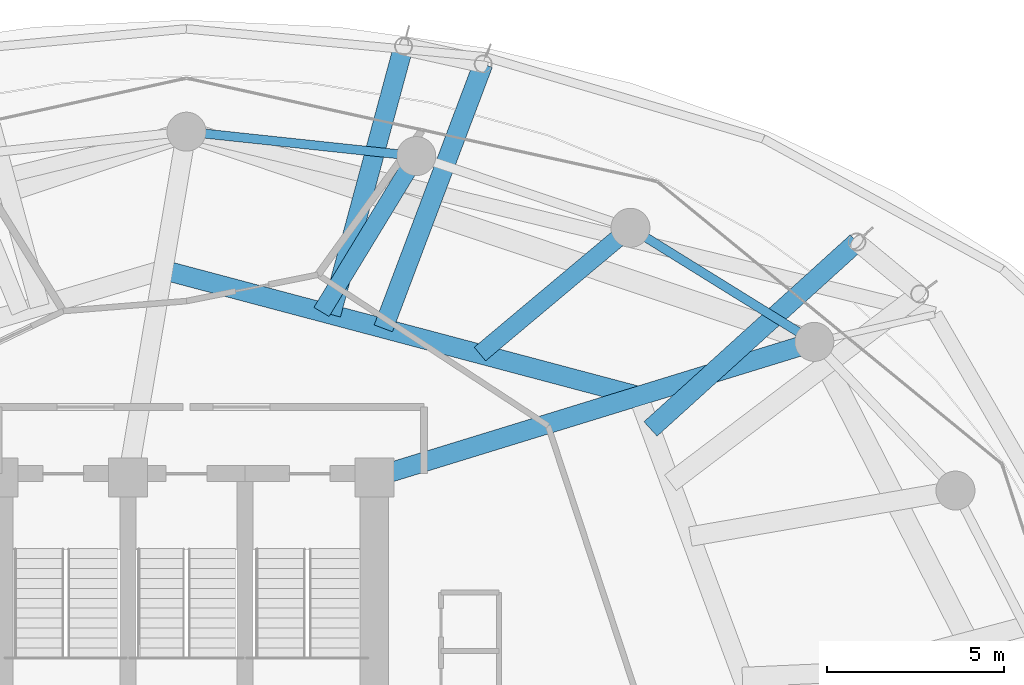
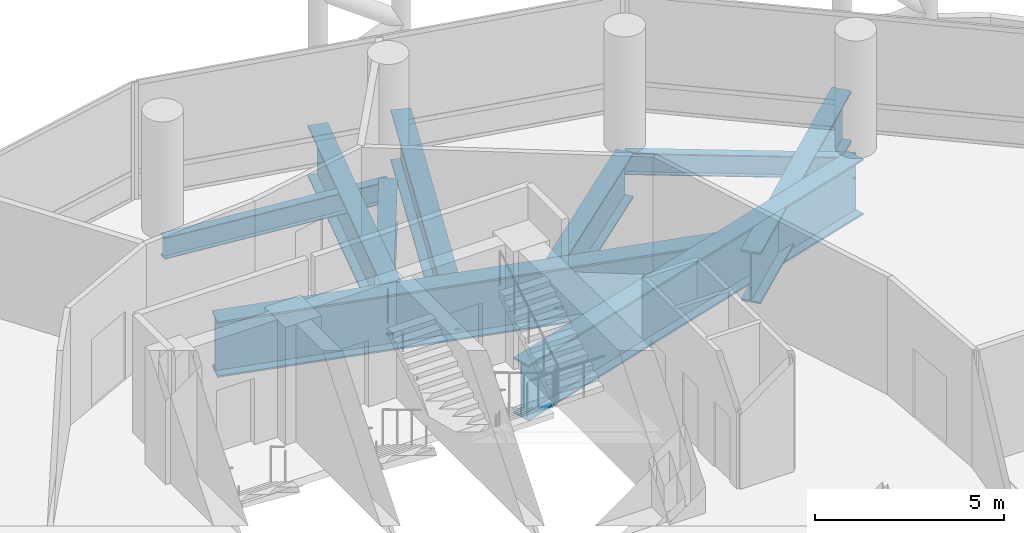
# One storey, part 23 of 37: 9 beams.
"""IFC4 building model written with IfcOpenShell, lengths in metres."""

from ifc_helpers import new_model, si_unit, direction, frame, origin, origin_2d, place, context, subcontext, project, spatial, i_section, extrude, material, material_profile, profile_set, type_object, element, save


model = new_model("IFC4")

# Units and contexts
model_context = context("Model", 3, precision=1e-05, world=origin(), true_north=direction((0.0, 1.0)))
body_context = subcontext(model_context, "Body", "Model", "MODEL_VIEW")
ifc_project = project(units=[si_unit("LENGTHUNIT", "METRE"), si_unit("AREAUNIT", "SQUARE_METRE"), si_unit("VOLUMEUNIT", "CUBIC_METRE"), si_unit("PLANEANGLEUNIT", "RADIAN"), si_unit("MASSUNIT", "GRAM", prefix="KILO")], contexts=[model_context])

# Site, building, storey
site_placement = place(None, origin())
site = spatial("IfcSite", under=ifc_project, at=site_placement, CompositionType="ELEMENT")
building_placement = place(site_placement, origin())
building = spatial("IfcBuilding", under=site, at=building_placement, Name="Nuhasar Tower", CompositionType="ELEMENT")
storey_placement = place(building_placement, frame((0.0, 0.0, 21.0)))
storey = spatial("IfcBuildingStorey", under=building, at=storey_placement, Name="L04", CompositionType="ELEMENT", Elevation=21.0)

# Beams
ifc_material_1 = material(Name="Steel S355", Category="steel")
ifc_material_profile_1 = material_profile(ifc_material_1, i_section(OverallWidth=0.256103515625, OverallDepth=0.693115234375, WebThickness=0.014404296875, FlangeThickness=0.023681640625, at=origin_2d()), Name="W27X114")
ifc_profile_set_1 = profile_set([ifc_material_profile_1], Name="Steel S355")
beam_type_1 = type_object("IfcBeamType", Name="BM-RING-W27X114", PredefinedType="SPANDREL", material=ifc_profile_set_1)
beam_1_placement = place(storey_placement, frame((56.712890625, 41.118896484375, -0.60693359375), z_axis=(-0.849795216549, 0.527112976439, 0.0), x_axis=(-0.527112976439, -0.849795216549, 0.0)))
element("IfcBeam", 1, at=beam_1_placement, inside=storey, type_object=beam_type_1, Name="L04 Perimeter Ring Spandrel 04", PredefinedType="SPANDREL", context=body_context, shape_type="SweptSolid", body=[
    extrude(i_section(OverallWidth=0.256103515625, OverallDepth=0.693115234375, WebThickness=0.014404296875, FlangeThickness=0.023681640625, at=origin_2d()), origin(), (0.0, 0.0, 1.0), 6.10498046875),
])
beam_2_placement = place(storey_placement, frame((45.48291015625, 46.360107421875, -0.60693359375), z_axis=(-0.994384554061, 0.105827022286, 0.0), x_axis=(-0.105827022286, -0.994384554061, 0.0)))
element("IfcBeam", 2, at=beam_2_placement, inside=storey, type_object=beam_type_1, Name="L04 Perimeter Ring Spandrel 06", PredefinedType="SPANDREL", context=body_context, shape_type="SweptSolid", body=[
    extrude(i_section(OverallWidth=0.256103515625, OverallDepth=0.693115234375, WebThickness=0.014404296875, FlangeThickness=0.023681640625, at=origin_2d()), origin(), (0.0, 0.0, 1.0), 6.51953125),
])
ifc_material_2 = material(Name="Steel S460", Category="steel")
ifc_material_profile_2 = material_profile(ifc_material_2, i_section(OverallWidth=0.5, OverallDepth=1.449951171875, WebThickness=0.028076171875, FlangeThickness=0.050048828125, at=origin_2d()), Name="PG1450X500")
ifc_profile_set_2 = profile_set([ifc_material_profile_2], Name="Steel S460")
beam_type_2 = type_object("IfcBeamType", Name="BM-XFER-PG1450", PredefinedType="USERDEFINED", material=ifc_profile_set_2)
beam_3_placement = place(storey_placement, frame((47.279052734375, 40.777099609375, -0.985107421875), z_axis=(0.766300007455, 0.642482916951, 0.0), x_axis=(-0.642482916951, 0.766300007455, 0.0)))
element("IfcBeam", 3, at=beam_3_placement, inside=storey, type_object=beam_type_2, Name="L04 Inner Column Transfer Girder 05", ObjectType="GIRDER", PredefinedType="USERDEFINED", context=body_context, shape_type="SweptSolid", body=[
    extrude(i_section(OverallWidth=0.5, OverallDepth=1.449951171875, WebThickness=0.028076171875, FlangeThickness=0.050048828125, at=origin_2d()), origin(), (0.0, 0.0, 1.0), 5.540771484375),
])
beam_4_placement = place(storey_placement, frame((42.80908203125, 41.964111328125, -0.985107421875), z_axis=(0.519663924632, 0.85437076579, 0.0), x_axis=(-0.85437076579, 0.519663924632, 0.0)))
element("IfcBeam", 4, at=beam_4_placement, inside=storey, type_object=beam_type_2, Name="L04 Inner Column Transfer Girder 06", ObjectType="GIRDER", PredefinedType="USERDEFINED", context=body_context, shape_type="SweptSolid", body=[
    extrude(i_section(OverallWidth=0.5, OverallDepth=1.449951171875, WebThickness=0.028076171875, FlangeThickness=0.050048828125, at=origin_2d()), origin(), (0.0, 0.0, 1.0), 5.145263671875),
])
ifc_material_profile_3 = material_profile(ifc_material_2, i_section(OverallWidth=0.550048828125, OverallDepth=1.64990234375, WebThickness=0.031982421875, FlangeThickness=0.054931640625, at=origin_2d()), Name="PG1650X550")
ifc_profile_set_3 = profile_set([ifc_material_profile_3], Name="Steel S460")
beam_type_3 = type_object("IfcBeamType", Name="BM-XFER-PG1650", PredefinedType="USERDEFINED", material=ifc_profile_set_3)
beam_5_placement = place(storey_placement, frame((52.091064453125, 38.6630859375, -1.0849609375), z_axis=(0.741007727783, 0.671496498402, 0.0), x_axis=(-0.671496498402, 0.741007727783, 0.0)))
element("IfcBeam", 5, at=beam_5_placement, inside=storey, type_object=beam_type_3, Name="L04 Exoskeleton Base Transfer Girder 04", ObjectType="GIRDER", PredefinedType="USERDEFINED", context=body_context, shape_type="SweptSolid", body=[
    extrude(i_section(OverallWidth=0.550048828125, OverallDepth=1.64990234375, WebThickness=0.031982421875, FlangeThickness=0.054931640625, at=origin_2d()), origin(), (0.0, 0.0, 1.0), 7.85693359375),
])
beam_6_placement = place(storey_placement, frame((44.552978515625, 41.5009765625, -1.0849609375), z_axis=(0.35332375297, 0.935501109346, 0.0), x_axis=(-0.935501109346, 0.35332375297, 0.0)))
element("IfcBeam", 6, at=beam_6_placement, inside=storey, type_object=beam_type_3, Name="L04 Exoskeleton Base Transfer Girder 05", ObjectType="GIRDER", PredefinedType="USERDEFINED", context=body_context, shape_type="SweptSolid", body=[
    extrude(i_section(OverallWidth=0.550048828125, OverallDepth=1.64990234375, WebThickness=0.031982421875, FlangeThickness=0.054931640625, at=origin_2d()), origin(), (0.0, 0.0, 1.0), 7.97314453125),
])
beam_7_placement = place(storey_placement, frame((43.0791015625, 41.89208984375, -1.0849609375), z_axis=(0.260887058931, 0.965369329574, 0.0), x_axis=(-0.965369329574, 0.260887058931, 0.0)))
element("IfcBeam", 7, at=beam_7_placement, inside=storey, type_object=beam_type_3, Name="L04 Exoskeleton Base Transfer Girder 06", ObjectType="GIRDER", PredefinedType="USERDEFINED", context=body_context, shape_type="SweptSolid", body=[
    extrude(i_section(OverallWidth=0.550048828125, OverallDepth=1.64990234375, WebThickness=0.031982421875, FlangeThickness=0.054931640625, at=origin_2d()), origin(), (0.0, 0.0, 1.0), 7.83837890625),
])
ifc_material_profile_4 = material_profile(ifc_material_2, i_section(OverallWidth=0.550048828125, OverallDepth=1.800048828125, WebThickness=0.031982421875, FlangeThickness=0.054931640625, at=origin_2d()), Name="PG1800X550")
ifc_profile_set_4 = profile_set([ifc_material_profile_4], Name="Steel S460")
beam_type_4 = type_object("IfcBeamType", Name="BM-XFER-PG1800", PredefinedType="USERDEFINED", material=ifc_profile_set_4)
beam_8_placement = place(storey_placement, frame((44.300048828125, 37.300048828125, -1.159912109375), z_axis=(0.955789576103, 0.294051502653, 0.0), x_axis=(-0.294051502653, 0.955789576103, 0.0)))
element("IfcBeam", 8, at=beam_8_placement, inside=storey, type_object=beam_type_4, Name="L04 Radial Floor Girder 05", ObjectType="GIRDER", PredefinedType="USERDEFINED", context=body_context, shape_type="SweptSolid", body=[
    extrude(i_section(OverallWidth=0.550048828125, OverallDepth=1.800048828125, WebThickness=0.031982421875, FlangeThickness=0.054931640625, at=origin_2d()), origin(), (0.0, 0.0, 1.0), 12.987060546875),
])
beam_9_placement = place(storey_placement, frame((51.748046875, 39.591064453125, -1.159912109375), z_axis=(-0.96653253005, 0.256544086574, 0.0), x_axis=(-0.256544086574, -0.96653253005, 0.0)))
element("IfcBeam", 9, at=beam_9_placement, inside=storey, type_object=beam_type_4, Name="L04 Inner Header Beam 05", ObjectType="GIRDER", PredefinedType="USERDEFINED", context=body_context, shape_type="SweptSolid", body=[
    extrude(i_section(OverallWidth=0.550048828125, OverallDepth=1.800048828125, WebThickness=0.031982421875, FlangeThickness=0.054931640625, at=origin_2d()), origin(), (0.0, 0.0, 1.0), 13.872314453125),
])

save(model, "model.ifc")
